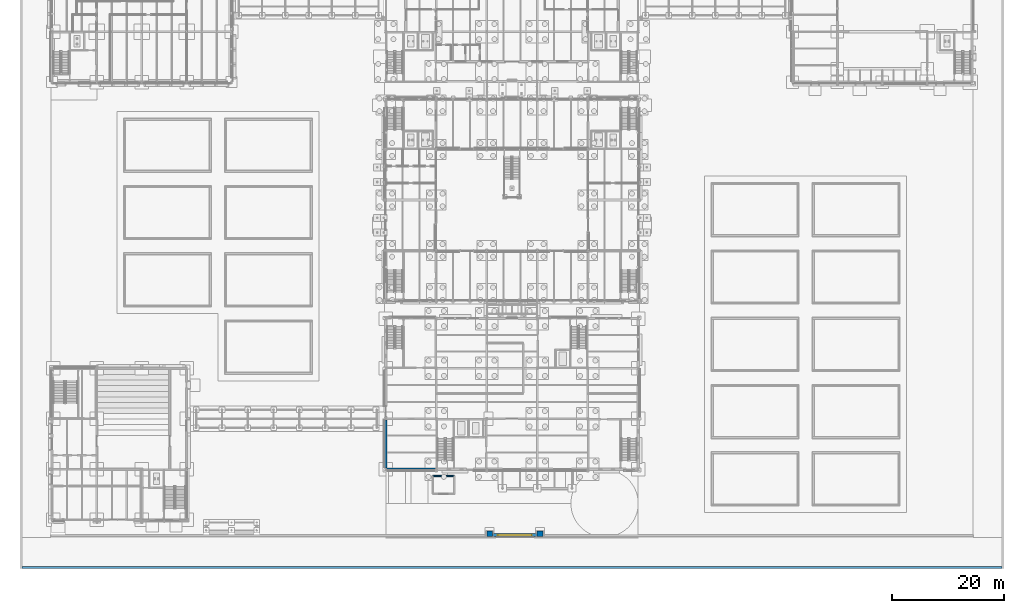
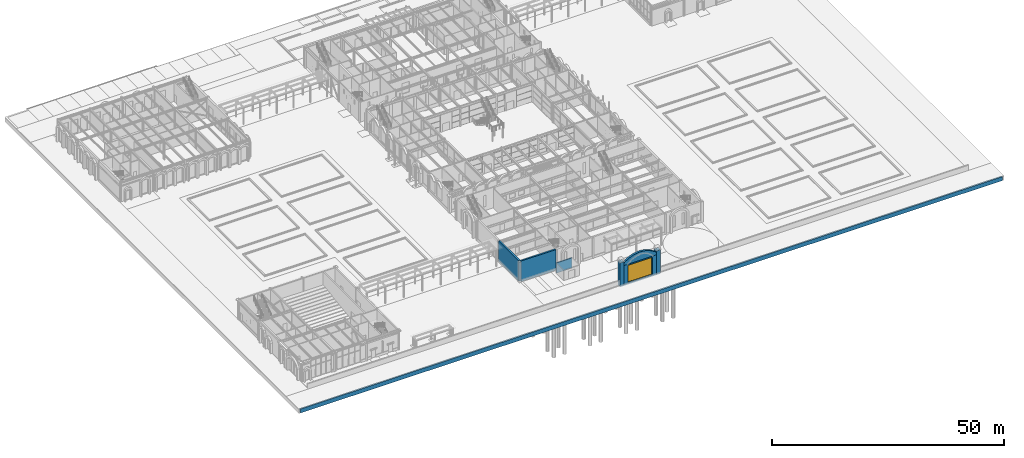
# One storey, part 68 of 126: 8 walls, 1 door, 1 opening.
"""IFC4 building model written with IfcOpenShell, lengths in metres."""

from ifc_helpers import new_model, si_unit, direction, frame, frame_2d, origin, place, context, subcontext, project, spatial, polyline, rectangle, outline, extrude, material, layer, layer_set, type_object, element, fill, save


model = new_model("IFC4")

# Units and contexts
model_context = context("Model", 3, precision=1e-05, world=origin(), true_north=direction((0.0, 1.0)))
body_context = subcontext(model_context, "Body", "Model", "MODEL_VIEW")
ifc_project = project(units=[si_unit("LENGTHUNIT", "METRE"), si_unit("AREAUNIT", "SQUARE_METRE"), si_unit("VOLUMEUNIT", "CUBIC_METRE"), si_unit("PLANEANGLEUNIT", "RADIAN"), si_unit("MASSUNIT", "GRAM", prefix="KILO")], contexts=[model_context])

# Site, building, storey
site_placement = place(None, origin())
site = spatial("IfcSite", under=ifc_project, at=site_placement, CompositionType="ELEMENT")
building_placement = place(site_placement, origin())
building = spatial("IfcBuilding", under=site, at=building_placement, Name="Kallimachos Central Library", CompositionType="ELEMENT")
storey_placement = place(building_placement, origin())
storey = spatial("IfcBuildingStorey", under=building, at=storey_placement, Name="L00", CompositionType="ELEMENT", Elevation=0.0)

# Walls
ifc_material_1 = material(Name="Pentelic marble masonry", Category="masonry")
ifc_layer_1 = layer(ifc_material_1, 0.5)
ifc_layer_set_1 = layer_set([ifc_layer_1], Name="Gate overthrow wall 500")
wall_type_1 = type_object("IfcWallType", Name="Gate overthrow wall 500", PredefinedType="SOLIDWALL", material=ifc_layer_set_1)
wall_1_placement = place(storey_placement, frame((84.5, 6.25, 4.800048828125), z_axis=(0.0, 0.0, 1.0), x_axis=(1.0, 0.0, 0.0)))
element("IfcWall", 1, at=wall_1_placement, inside=storey, type_object=wall_type_1, Name="Gate overthrow", PredefinedType="SOLIDWALL", context=body_context, shape_type="SweptSolid", body=[
    extrude(outline(polyline([(0.0, 0.0), (8.0, 0.0), (8.0, 0.699951171875), (7.5, 1.06298828125), (7.0, 1.371826171875), (6.5, 1.629150390625), (6.0, 1.836669921875), (5.5, 1.99658203125), (5.0, 2.10986328125), (4.5, 2.177490234375), (4.0, 2.199951171875), (3.5, 2.177490234375), (3.0, 2.10986328125), (2.5, 1.99658203125), (2.0, 1.836669921875), (1.5, 1.629150390625), (1.0, 1.371826171875), (0.5, 1.06298828125), (0.0, 0.699951171875), (0.0, 0.0)])), frame((0.0, 0.25, 0.0), z_axis=(0.0, -1.0, 0.0), x_axis=(1.0, 0.0, 0.0)), (0.0, 0.0, 1.0), 0.5),
])
ifc_material_2 = material(Name="Pentelic marble masonry", Category="masonry")
ifc_layer_2 = layer(ifc_material_2, 1.0)
ifc_layer_set_2 = layer_set([ifc_layer_2], Name="Gate pier 1000")
wall_type_2 = type_object("IfcWallType", Name="Gate pier 1000", PredefinedType="SOLIDWALL", material=ifc_layer_set_2)
for number, where, z_axis, x_axis, name in (
    (2, (84.0, 6.0, -0.5), (0.0, 0.0, 1.0), (0.0, 1.0, 0.0), "Gate pier West"),
    (3, (93.0, 6.0, -0.5), (0.0, 0.0, 1.0), (0.0, 1.0, 0.0), "Gate pier East"),
):
    element("IfcWall", number, at=place(storey_placement, frame(where, z_axis=z_axis, x_axis=x_axis)), inside=storey, type_object=wall_type_2, Name=name, PredefinedType="SOLIDWALL", context=body_context, shape_type="SweptSolid", body=[
        extrude(rectangle(XDim=1.0, YDim=1.0, at=frame_2d((0.5, 0.0))), origin(), (0.0, 0.0, 1.0), 6.300048828125),
    ])
ifc_material_3 = material(Name="Concrete C30/37", Category="concrete")
ifc_layer_3 = layer(ifc_material_3, 0.39990234375)
ifc_layer_set_3 = layer_set([ifc_layer_3], Name="Plinth skirt wall 400")
wall_type_3 = type_object("IfcWallType", Name="Plinth skirt wall 400", PredefinedType="SOLIDWALL", material=ifc_layer_set_3)
wall_2_placement = place(storey_placement, frame((0.699951171875, 0.5, -1.199951171875), z_axis=(0.0, 0.0, 1.0), x_axis=(1.0, 0.0, 0.0)))
element("IfcWall", 4, at=wall_2_placement, inside=storey, type_object=wall_type_3, Name="Plinth skirt South", PredefinedType="SOLIDWALL", context=body_context, shape_type="SweptSolid", body=[
    extrude(rectangle(XDim=174.60009765625, YDim=0.39990234375, at=frame_2d((87.300048828125, 0.0))), origin(), (0.0, 0.0, 1.0), 1.050048828125),
])
ifc_material_4 = material(Name="Brick masonry", Category="masonry")
ifc_layer_4 = layer(ifc_material_4, 0.199951171875)
ifc_layer_set_4 = layer_set([ifc_layer_4], Name="Refuse store wall 200")
wall_type_4 = type_object("IfcWallType", Name="Refuse store wall 200", PredefinedType="SOLIDWALL", material=ifc_layer_set_4)
wall_3_placement = place(storey_placement, frame((77.699951171875, 16.800048828125, 0.0), z_axis=(0.0, 0.0, 1.0), x_axis=(-1.0, 0.0, 0.0)))
element("IfcWall", 5, at=wall_3_placement, inside=storey, type_object=wall_type_4, Name="Refuse Store north wall", PredefinedType="SOLIDWALL", context=body_context, shape_type="SweptSolid", body=[
    extrude(rectangle(XDim=3.800048828125, YDim=0.199951171875, at=frame_2d((1.89990234375, 0.0))), origin(), (0.0, 0.0, 1.0), 2.699951171875),
])
ifc_material_5 = material(Name="Pentelic marble masonry", Category="masonry")
ifc_layer_5 = layer(ifc_material_5, 0.39990234375)
ifc_layer_set_5 = layer_set([ifc_layer_5], Name="Stone masonry wall 400")
wall_type_5 = type_object("IfcWallType", Name="Stone masonry wall 400", PredefinedType="SOLIDWALL", material=ifc_layer_set_5)
wall_4_placement = place(storey_placement, frame((65.64990234375, 18.0, 0.0), z_axis=(0.0, 0.0, 1.0), x_axis=(1.0, 0.0, 0.0)))
element("IfcWall", 6, at=wall_4_placement, inside=storey, type_object=wall_type_5, Name="V5-WAL-L00-010", PredefinedType="SOLIDWALL", context=body_context, shape_type="SweptSolid", body=[
    extrude(rectangle(XDim=8.7001953125, YDim=0.39990234375, at=frame_2d((4.35009765625, 0.0))), origin(), (0.0, 0.0, 1.0), 5.39990234375),
])
wall_5_placement = place(storey_placement, frame((65.5, 18.199951171875, 0.0), z_axis=(0.0, 0.0, 1.0), x_axis=(0.0, 1.0, 0.0)))
element("IfcWall", 7, at=wall_5_placement, inside=storey, type_object=wall_type_5, Name="V5-WAL-L00-020", PredefinedType="SOLIDWALL", context=body_context, shape_type="SweptSolid", body=[
    extrude(rectangle(XDim=8.60009765625, YDim=0.39990234375, at=frame_2d((4.300048828125, 0.0))), origin(), (0.0, 0.0, 1.0), 5.39990234375),
])

# Wall, opening, door
ifc_material_6 = material(Name="Pentelic marble masonry", Category="masonry")
ifc_layer_6 = layer(ifc_material_6, 0.5)
ifc_layer_set_6 = layer_set([ifc_layer_6], Name="Vehicle gate portal wall 500")
wall_type_6 = type_object("IfcWallType", Name="Vehicle gate portal wall 500", PredefinedType="SOLIDWALL", material=ifc_layer_set_6)
wall_6_placement = place(storey_placement, frame((84.5, 6.25, -0.5), z_axis=(0.0, 0.0, 1.0), x_axis=(1.0, 0.0, 0.0)))
wall_6 = element("IfcWall", 8, at=wall_6_placement, inside=storey, type_object=wall_type_6, Name="Vehicle gate portal", PredefinedType="SOLIDWALL", context=body_context, shape_type="SweptSolid", body=[
    extrude(rectangle(XDim=8.0, YDim=0.5, at=frame_2d((4.0, 0.0))), origin(), (0.0, 0.0, 1.0), 5.300048828125),
])
opening_placement = place(wall_6_placement, frame((1.0, 0.0, 0.5)))
opening = element("IfcOpeningElement", 9, at=opening_placement, cuts=wall_6, Name="Opening D79", PredefinedType="OPENING", context=body_context, shape_type="SweptSolid", body=[
    extrude(rectangle(XDim=6.0, YDim=4.5, at=frame_2d((3.0, 2.25))), frame((0.0, 0.260009765625, 0.0), z_axis=(0.0, -1.0, 0.0), x_axis=(1.0, 0.0, 0.0)), (0.0, 0.0, 1.0), 0.52001953125),
])
ifc_material_7 = material(Name="Painted steel bar gate", Category="steel")
door_type = type_object("IfcDoorType", Name="Vehicle gate 6000 x 4500", OperationType="SLIDING_TO_LEFT", PredefinedType="GATE", material=ifc_material_7)
door_placement = place(opening_placement, origin())
door = element("IfcDoor", 10, at=door_placement, inside=storey, type_object=door_type, Name="Vehicle Gate", OperationType="SLIDING_TO_LEFT", OverallHeight=4.5, OverallWidth=6.0, PredefinedType="GATE", context=body_context, shape_type="SweptSolid", body=[
    extrude(rectangle(XDim=6.0, YDim=4.5, at=frame_2d((3.0, 2.25))), frame((0.0, 0.02490234375, 0.0), z_axis=(0.0, -1.0, 0.0), x_axis=(1.0, 0.0, 0.0)), (0.0, 0.0, 1.0), 0.050048828125),
])
fill(opening, door)

save(model, "model.ifc")
